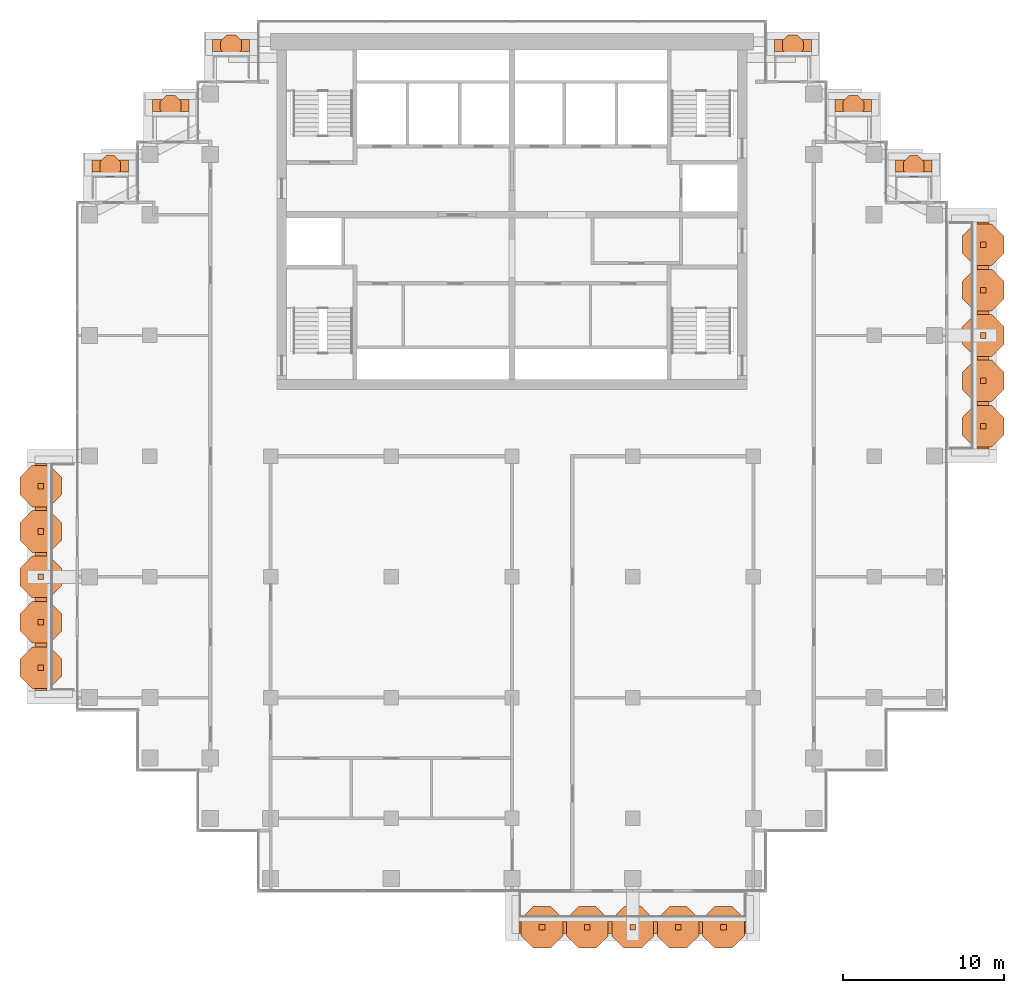
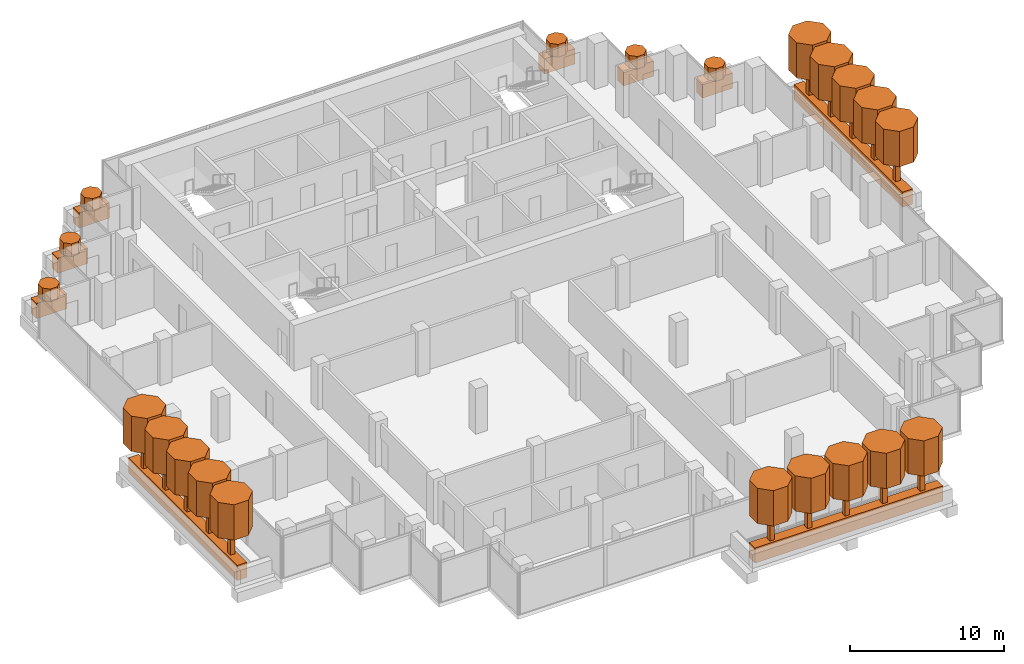
# One storey, part 18 of 18: 45 geographic elements.
"""IFC4 building model written with IfcOpenShell, lengths in metres."""

from ifc_helpers import new_model, si_unit, direction, frame, origin, origin_2d, place, context, subcontext, project, spatial, polyline, rectangle, outline, extrude, material, material_profile, profile_set, type_object, element, save


model = new_model("IFC4")

# Units and contexts
model_context = context("Model", 3, precision=1e-05, world=origin(), true_north=direction((0.0, 1.0)))
body_context = subcontext(model_context, "Body", "Model", "MODEL_VIEW")
ifc_project = project(units=[si_unit("LENGTHUNIT", "METRE"), si_unit("AREAUNIT", "SQUARE_METRE"), si_unit("VOLUMEUNIT", "CUBIC_METRE"), si_unit("PLANEANGLEUNIT", "RADIAN"), si_unit("MASSUNIT", "GRAM", prefix="KILO")], contexts=[model_context])

# Site, building, storey
site_placement = place(None, origin())
site = spatial("IfcSite", under=ifc_project, at=site_placement, CompositionType="ELEMENT")
building_placement = place(site_placement, origin())
building = spatial("IfcBuilding", under=site, at=building_placement, Name="Pilkhan Gate Tower", CompositionType="ELEMENT")
storey_placement = place(building_placement, frame((0.0, 0.0, 210.300048828125)))
storey = spatial("IfcBuildingStorey", under=building, at=storey_placement, Name="L54", CompositionType="ELEMENT", Elevation=210.300048828125)

# Geographic elements
ifc_material_1 = material(Name="Foliage")
ifc_material_profile_1 = material_profile(ifc_material_1, rectangle(XDim=0.75, YDim=1.199951171875, at=origin_2d()), Name="Bed 750x1200")
ifc_profile_set_1 = profile_set([ifc_material_profile_1], Name="Foliage")
geographic_element_type_1 = type_object("IfcGeographicElementType", Name="Planting bed PB1", PredefinedType="USERDEFINED", material=ifc_profile_set_1)
for number, where, z_axis, x_axis, name in (
    (1, (75.449951171875, 38.22509765625, 0.599853515625), (1.0, 0.0, 0.0), (0.0, 1.0, 0.0), "Balcony L54 S planting bed"),
    (2, (104.27490234375, 67.949951171875, 0.599853515625), (0.0, 1.0, 0.0), (-1.0, 0.0, 0.0), "Balcony L54 E planting bed"),
):
    element("IfcGeographicElement", number, at=place(storey_placement, frame(where, z_axis=z_axis, x_axis=x_axis)), inside=storey, type_object=geographic_element_type_1, Name=name, ObjectType="PLANTING BED", PredefinedType="USERDEFINED", context=body_context, shape_type="SweptSolid", body=[
        extrude(rectangle(XDim=0.75, YDim=1.199951171875, at=origin_2d()), origin(), (0.0, 0.0, 1.0), 14.10009765625),
    ])
for number, where, z_axis, x_axis, name in (
    (3, (56.39990234375, 93.02490234375, 0.599853515625), (1.0, 0.0, 0.0), (0.0, 1.0, 0.0), "Balcony L54 N planting bed"),
    (4, (91.300048828125, 93.02490234375, 0.599853515625), (1.0, 0.0, 0.0), (0.0, 1.0, 0.0), "Balcony L54 N planting bed"),
):
    element("IfcGeographicElement", number, at=place(storey_placement, frame(where, z_axis=z_axis, x_axis=x_axis)), inside=storey, type_object=geographic_element_type_1, Name=name, ObjectType="PLANTING BED", PredefinedType="USERDEFINED", context=body_context, shape_type="SweptSolid", body=[
        extrude(rectangle(XDim=0.75, YDim=1.199951171875, at=origin_2d()), origin(), (0.0, 0.0, 1.0), 2.300048828125),
    ])
for number, where, z_axis, x_axis, name in (
    (5, (52.64990234375, 89.27490234375, 0.599853515625), (1.0, 0.0, 0.0), (0.0, 1.0, 0.0), "Balcony L54 N planting bed"),
    (6, (48.89990234375, 85.52490234375, 0.599853515625), (1.0, 0.0, 0.0), (0.0, 1.0, 0.0), "Balcony L54 N planting bed"),
    (7, (95.070068359375, 89.27490234375, 0.599853515625), (1.0, 0.0, 0.0), (0.0, 1.0, 0.0), "Balcony L54 N planting bed"),
    (8, (98.820068359375, 85.52490234375, 0.599853515625), (1.0, 0.0, 0.0), (0.0, 1.0, 0.0), "Balcony L54 N planting bed"),
):
    element("IfcGeographicElement", number, at=place(storey_placement, frame(where, z_axis=z_axis, x_axis=x_axis)), inside=storey, type_object=geographic_element_type_1, Name=name, ObjectType="PLANTING BED", PredefinedType="USERDEFINED", context=body_context, shape_type="SweptSolid", body=[
        extrude(rectangle(XDim=0.75, YDim=1.199951171875, at=origin_2d()), origin(), (0.0, 0.0, 1.0), 2.280029296875),
    ])
geographic_element_placement = place(storey_placement, frame((45.72509765625, 52.949951171875, 0.599853515625), z_axis=(0.0, 1.0, 0.0), x_axis=(-1.0, 0.0, 0.0)))
element("IfcGeographicElement", 9, at=geographic_element_placement, inside=storey, type_object=geographic_element_type_1, Name="Balcony L54 W planting bed", ObjectType="PLANTING BED", PredefinedType="USERDEFINED", context=body_context, shape_type="SweptSolid", body=[
    extrude(rectangle(XDim=0.75, YDim=1.199951171875, at=origin_2d()), origin(), (0.0, 0.0, 1.0), 14.10009765625),
])
ifc_material_profile_2 = material_profile(ifc_material_1, outline(polyline([(0.646728515625, 0.267822265625), (0.267822265625, 0.646728515625), (-0.267822265625, 0.646728515625), (-0.646728515625, 0.267822265625), (-0.646728515625, -0.267822265625), (-0.267822265625, -0.646728515625), (0.267822265625, -0.646728515625), (0.646728515625, -0.267822265625), (0.646728515625, 0.267822265625)])), Name="Shrub D1.4")
ifc_profile_set_2 = profile_set([ifc_material_profile_2], Name="Foliage")
geographic_element_type_2 = type_object("IfcGeographicElementType", Name="Shrub SH07", PredefinedType="USERDEFINED", material=ifc_profile_set_2)
for number, where, z_axis, x_axis, name in (
    (10, (57.550048828125, 93.02490234375, 1.199951171875), (0.0, 0.0, 1.0), (1.0, 0.0, 0.0), "Shrub L54 N 1"),
    (11, (92.449951171875, 93.02490234375, 1.199951171875), (0.0, 0.0, 1.0), (1.0, 0.0, 0.0), "Shrub L54 N 1"),
    (12, (53.7900390625, 89.27490234375, 1.199951171875), (0.0, 0.0, 1.0), (1.0, 0.0, 0.0), "Shrub L54 N 1"),
    (13, (50.0400390625, 85.52490234375, 1.199951171875), (0.0, 0.0, 1.0), (1.0, 0.0, 0.0), "Shrub L54 N 1"),
    (14, (96.2099609375, 89.27490234375, 1.199951171875), (0.0, 0.0, 1.0), (1.0, 0.0, 0.0), "Shrub L54 N 1"),
    (15, (99.9599609375, 85.52490234375, 1.199951171875), (0.0, 0.0, 1.0), (1.0, 0.0, 0.0), "Shrub L54 N 1"),
):
    element("IfcGeographicElement", number, at=place(storey_placement, frame(where, z_axis=z_axis, x_axis=x_axis)), inside=storey, type_object=geographic_element_type_2, Name=name, ObjectType="SHRUB", PredefinedType="USERDEFINED", context=body_context, shape_type="SweptSolid", body=[
        extrude(outline(polyline([(0.646728515625, 0.267822265625), (0.267822265625, 0.646728515625), (-0.267822265625, 0.646728515625), (-0.646728515625, 0.267822265625), (-0.646728515625, -0.267822265625), (-0.267822265625, -0.646728515625), (0.267822265625, -0.646728515625), (0.646728515625, -0.267822265625), (0.646728515625, 0.267822265625)])), origin(), (0.0, 0.0, 1.0), 1.0),
    ])
ifc_material_profile_3 = material_profile(ifc_material_1, outline(polyline([(1.29345703125, 0.535888671875), (0.535888671875, 1.29345703125), (-0.535888671875, 1.29345703125), (-1.29345703125, 0.535888671875), (-1.29345703125, -0.535888671875), (-0.535888671875, -1.29345703125), (0.535888671875, -1.29345703125), (1.29345703125, -0.535888671875), (1.29345703125, 0.535888671875)])), Name="Canopy D2.8")
ifc_profile_set_3 = profile_set([ifc_material_profile_3], Name="Foliage")
geographic_element_type_3 = type_object("IfcGeographicElementType", Name="Tree canopy TC14", PredefinedType="USERDEFINED", material=ifc_profile_set_3)
for number, where, z_axis, x_axis, name in (
    (16, (76.860107421875, 38.22509765625, 3.199951171875), (0.0, 0.0, 1.0), (1.0, 0.0, 0.0), "Tree L54 S 1 canopy"),
    (17, (79.679931640625, 38.22509765625, 3.199951171875), (0.0, 0.0, 1.0), (1.0, 0.0, 0.0), "Tree L54 S 2 canopy"),
    (18, (82.5, 38.22509765625, 3.199951171875), (0.0, 0.0, 1.0), (1.0, 0.0, 0.0), "Tree L54 S 3 canopy"),
    (19, (85.320068359375, 38.22509765625, 3.199951171875), (0.0, 0.0, 1.0), (1.0, 0.0, 0.0), "Tree L54 S 4 canopy"),
    (20, (88.139892578125, 38.22509765625, 3.199951171875), (0.0, 0.0, 1.0), (1.0, 0.0, 0.0), "Tree L54 S 5 canopy"),
    (21, (104.27490234375, 69.360107421875, 3.199951171875), (0.0, 0.0, 1.0), (1.0, 0.0, 0.0), "Tree L54 E 1 canopy"),
    (22, (104.27490234375, 72.179931640625, 3.199951171875), (0.0, 0.0, 1.0), (1.0, 0.0, 0.0), "Tree L54 E 2 canopy"),
    (23, (104.27490234375, 75.0, 3.199951171875), (0.0, 0.0, 1.0), (1.0, 0.0, 0.0), "Tree L54 E 3 canopy"),
    (24, (104.27490234375, 77.820068359375, 3.199951171875), (0.0, 0.0, 1.0), (1.0, 0.0, 0.0), "Tree L54 E 4 canopy"),
    (25, (104.27490234375, 80.639892578125, 3.199951171875), (0.0, 0.0, 1.0), (1.0, 0.0, 0.0), "Tree L54 E 5 canopy"),
    (26, (45.72509765625, 54.360107421875, 3.199951171875), (0.0, 0.0, 1.0), (1.0, 0.0, 0.0), "Tree L54 W 1 canopy"),
    (27, (45.72509765625, 57.179931640625, 3.199951171875), (0.0, 0.0, 1.0), (1.0, 0.0, 0.0), "Tree L54 W 2 canopy"),
    (28, (45.72509765625, 60.0, 3.199951171875), (0.0, 0.0, 1.0), (1.0, 0.0, 0.0), "Tree L54 W 3 canopy"),
    (29, (45.72509765625, 62.820068359375, 3.199951171875), (0.0, 0.0, 1.0), (1.0, 0.0, 0.0), "Tree L54 W 4 canopy"),
    (30, (45.72509765625, 65.639892578125, 3.199951171875), (0.0, 0.0, 1.0), (1.0, 0.0, 0.0), "Tree L54 W 5 canopy"),
):
    element("IfcGeographicElement", number, at=place(storey_placement, frame(where, z_axis=z_axis, x_axis=x_axis)), inside=storey, type_object=geographic_element_type_3, Name=name, ObjectType="TREE", PredefinedType="USERDEFINED", context=body_context, shape_type="SweptSolid", body=[
        extrude(outline(polyline([(1.29345703125, 0.535888671875), (0.535888671875, 1.29345703125), (-0.535888671875, 1.29345703125), (-1.29345703125, 0.535888671875), (-1.29345703125, -0.535888671875), (-0.535888671875, -1.29345703125), (0.535888671875, -1.29345703125), (1.29345703125, -0.535888671875), (1.29345703125, 0.535888671875)])), origin(), (0.0, 0.0, 1.0), 2.800048828125),
    ])
ifc_material_2 = material(Name="Timber trunk", Category="wood")
geographic_element_type_4 = type_object("IfcGeographicElementType", Name="Tree trunk TT1", PredefinedType="USERDEFINED", material=ifc_material_2)
for number, where, z_axis, x_axis, name in (
    (31, (76.860107421875, 38.22509765625, 1.199951171875), (0.0, 0.0, 1.0), (1.0, 0.0, 0.0), "Tree L54 S 1 trunk"),
    (32, (79.679931640625, 38.22509765625, 1.199951171875), (0.0, 0.0, 1.0), (1.0, 0.0, 0.0), "Tree L54 S 2 trunk"),
    (33, (82.5, 38.22509765625, 1.199951171875), (0.0, 0.0, 1.0), (1.0, 0.0, 0.0), "Tree L54 S 3 trunk"),
    (34, (85.320068359375, 38.22509765625, 1.199951171875), (0.0, 0.0, 1.0), (1.0, 0.0, 0.0), "Tree L54 S 4 trunk"),
    (35, (88.139892578125, 38.22509765625, 1.199951171875), (0.0, 0.0, 1.0), (1.0, 0.0, 0.0), "Tree L54 S 5 trunk"),
    (36, (104.27490234375, 69.360107421875, 1.199951171875), (0.0, 0.0, 1.0), (1.0, 0.0, 0.0), "Tree L54 E 1 trunk"),
    (37, (104.27490234375, 72.179931640625, 1.199951171875), (0.0, 0.0, 1.0), (1.0, 0.0, 0.0), "Tree L54 E 2 trunk"),
    (38, (104.27490234375, 75.0, 1.199951171875), (0.0, 0.0, 1.0), (1.0, 0.0, 0.0), "Tree L54 E 3 trunk"),
    (39, (104.27490234375, 77.820068359375, 1.199951171875), (0.0, 0.0, 1.0), (1.0, 0.0, 0.0), "Tree L54 E 4 trunk"),
    (40, (104.27490234375, 80.639892578125, 1.199951171875), (0.0, 0.0, 1.0), (1.0, 0.0, 0.0), "Tree L54 E 5 trunk"),
    (41, (45.72509765625, 54.360107421875, 1.199951171875), (0.0, 0.0, 1.0), (1.0, 0.0, 0.0), "Tree L54 W 1 trunk"),
    (42, (45.72509765625, 57.179931640625, 1.199951171875), (0.0, 0.0, 1.0), (1.0, 0.0, 0.0), "Tree L54 W 2 trunk"),
    (43, (45.72509765625, 60.0, 1.199951171875), (0.0, 0.0, 1.0), (1.0, 0.0, 0.0), "Tree L54 W 3 trunk"),
    (44, (45.72509765625, 62.820068359375, 1.199951171875), (0.0, 0.0, 1.0), (1.0, 0.0, 0.0), "Tree L54 W 4 trunk"),
    (45, (45.72509765625, 65.639892578125, 1.199951171875), (0.0, 0.0, 1.0), (1.0, 0.0, 0.0), "Tree L54 W 5 trunk"),
):
    element("IfcGeographicElement", number, at=place(storey_placement, frame(where, z_axis=z_axis, x_axis=x_axis)), inside=storey, type_object=geographic_element_type_4, Name=name, ObjectType="TREE", PredefinedType="USERDEFINED", context=body_context, shape_type="SweptSolid", body=[
        extrude(rectangle(XDim=0.35009765625, YDim=0.35009765625, at=origin_2d()), origin(), (0.0, 0.0, 1.0), 2.0),
    ])

save(model, "model.ifc")
